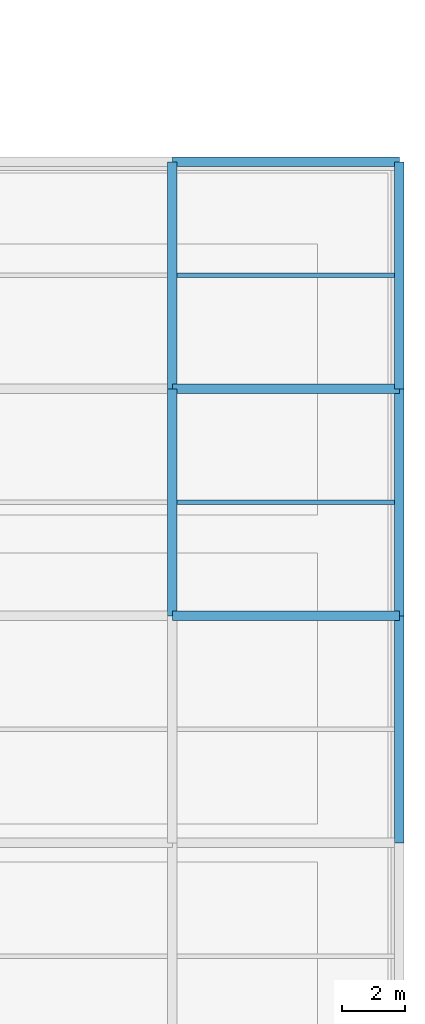
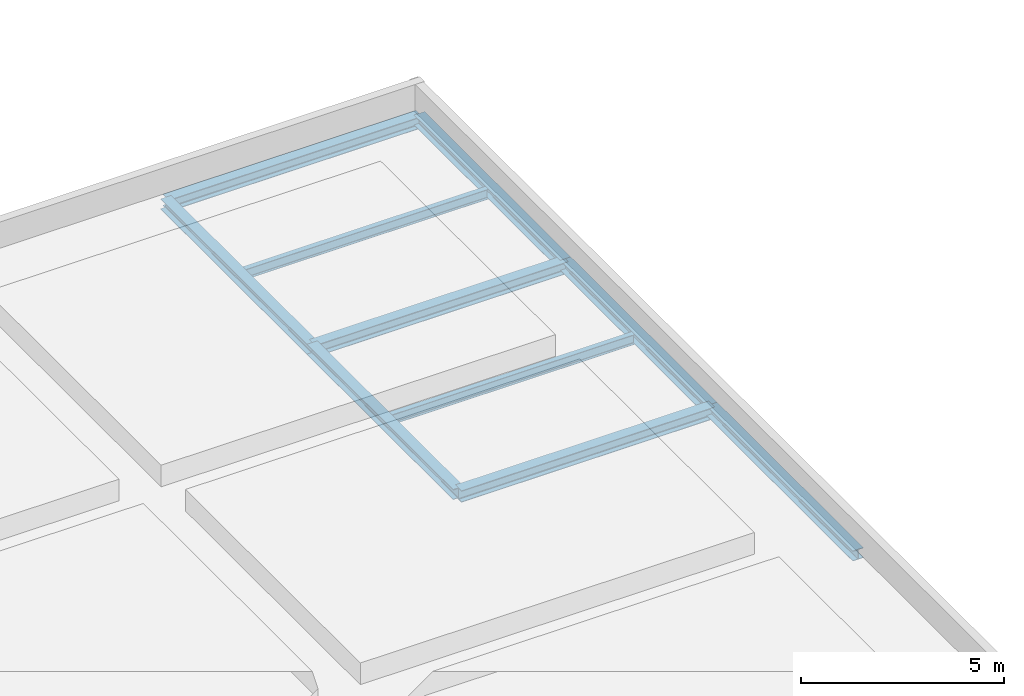
# One storey, part 59 of 103: 10 beams.
"""IFC4 building model written with IfcOpenShell, lengths in metres."""

import ifcopenshell
import ifcopenshell.guid

model = None  # the IFC model being written
_history = None  # IfcOwnerHistory: only IFC2X3 demands one
_inside = {}  # id of a spatial element -> (the spatial element, [elements in it])
_under = {}  # id of a project, library or spatial element -> (it, [spatial elements below it])
_declared = {}  # id of a project -> (the project, [libraries it declares])
_typed = {}  # id of a type object -> (the type object, [elements of that type])
_made_of = {}  # id of a material, layer set ... -> (it, [elements and type objects made of it])


def new_model(schema):
    """Start an empty IFC model of exactly this schema.

    Asked for "IFC4X3", IfcOpenShell would pick the latest addendum, in which some entities
    have other attributes; the version numbers below select the first issue.
    IFC2X3 requires an IfcOwnerHistory on every rooted entity: one is made here for all.
    """
    global model, _history
    if schema == "IFC4X3":
        model = ifcopenshell.file(schema_version=(4, 3, 0, 0))
    else:
        model = ifcopenshell.file(schema=schema)
    _inside.clear()
    _under.clear()
    _declared.clear()
    _typed.clear()
    _made_of.clear()
    _history = None
    if model.schema == "IFC2X3":
        org = make("IfcOrganization", Name="unknown")
        user = make(
            "IfcPersonAndOrganization",
            ThePerson=make("IfcPerson", FamilyName="unknown"),
            TheOrganization=org,
        )
        app = make(
            "IfcApplication",
            ApplicationDeveloper=org,
            Version="unknown",
            ApplicationFullName="unknown",
            ApplicationIdentifier="unknown",
        )
        _history = make(
            "IfcOwnerHistory",
            OwningUser=user,
            OwningApplication=app,
            ChangeAction="ADDED",
            CreationDate=0,
        )
    return model


def make(cls, **values):
    """One entity of the class cls with the attributes given. An attribute that is None is left unset."""
    return model.create_entity(
        cls, **{name: value for name, value in values.items() if value is not None}
    )


def rooted(cls, **values):
    """An entity with a GlobalId (a new one), such as an element, a storey or a relation."""
    return make(cls, GlobalId=ifcopenshell.guid.new(), OwnerHistory=_history, **values)


def si_unit(unit_type, name, prefix=None):
    """IfcSIUnit, for example si_unit("LENGTHUNIT", "METRE", prefix="MILLI")."""
    return make("IfcSIUnit", UnitType=unit_type, Prefix=prefix, Name=name)


def assignment(units):
    """IfcUnitAssignment: the units of a project."""
    return None if units is None else make("IfcUnitAssignment", Units=units)


def point(xyz):
    """IfcCartesianPoint."""
    return None if xyz is None else make("IfcCartesianPoint", Coordinates=xyz)


def direction(xyz):
    """IfcDirection."""
    return None if xyz is None else make("IfcDirection", DirectionRatios=xyz)


def frame(location, z_axis=None, x_axis=None):
    """IfcAxis2Placement3D, a coordinate frame: its origin and axes. An axis left out is left unset."""
    return make(
        "IfcAxis2Placement3D",
        Location=point(location),
        Axis=direction(z_axis),
        RefDirection=direction(x_axis),
    )


def frame_2d(location, x_axis=None):
    """IfcAxis2Placement2D, a coordinate frame in the plane: its origin and x axis."""
    return make(
        "IfcAxis2Placement2D", Location=point(location), RefDirection=direction(x_axis)
    )


def origin():
    """The frame at (0, 0, 0) with its axes left unset."""
    return frame((0.0, 0.0, 0.0))


def origin_2d():
    """The frame at (0, 0) in the plane with its x axis left unset."""
    return frame_2d((0.0, 0.0))


def place(relative_to, where):
    """IfcLocalPlacement: puts the frame where relative to a parent placement (None: the world)."""
    return make(
        "IfcLocalPlacement", PlacementRelTo=relative_to, RelativePlacement=where
    )


def context(
    kind, dimensions, precision=None, world=None, true_north=None, identifier=None
):
    """IfcGeometricRepresentationContext, for example the 3D "Model" context."""
    return make(
        "IfcGeometricRepresentationContext",
        ContextIdentifier=identifier,
        ContextType=kind,
        CoordinateSpaceDimension=dimensions,
        Precision=precision,
        WorldCoordinateSystem=world,
        TrueNorth=true_north,
    )


def subcontext(parent, identifier, kind, view, scale=None):
    """IfcGeometricRepresentationSubContext, for example "Body" below "Model"."""
    return make(
        "IfcGeometricRepresentationSubContext",
        ContextIdentifier=identifier,
        ContextType=kind,
        ParentContext=parent,
        TargetScale=scale,
        TargetView=view,
    )


def project(units=None, contexts=None):
    """IfcProject with its units and contexts."""
    return rooted(
        "IfcProject",
        Name="project",
        RepresentationContexts=contexts,
        UnitsInContext=assignment(units),
    )


def spatial(cls, under=None, at=None, **own):
    """A site, building, storey or space (cls), placed at a placement, below another one or the project."""
    s = rooted(cls, ObjectPlacement=at, **own)
    if under is not None:
        _under.setdefault(under.id(), (under, []))[1].append(s)
    return s


def profile(cls, at=None, kind="AREA", **sizes):
    """A parametric profile (cls). Its sizes go by their IFC names, for example OverallWidth=200.0."""
    return make(cls, ProfileType=kind, Position=at, **sizes)


def i_section(**sizes):
    """IfcIShapeProfileDef."""
    return profile("IfcIShapeProfileDef", **sizes)


def extrude(swept, where, along, depth):
    """IfcExtrudedAreaSolid: the profile swept, set in the frame where, extruded along a direction by depth."""
    return make(
        "IfcExtrudedAreaSolid",
        SweptArea=swept,
        Position=where,
        ExtrudedDirection=direction(along),
        Depth=depth,
    )


def shape(context_of_items, identifier, shape_type, items):
    """IfcShapeRepresentation: the items that make up one representation, for example the "Body"."""
    return make(
        "IfcShapeRepresentation",
        ContextOfItems=context_of_items,
        RepresentationIdentifier=identifier,
        RepresentationType=shape_type,
        Items=items,
    )


def material(Name=None, Category=None):
    """IfcMaterial."""
    return make("IfcMaterial", Name=Name, Category=Category)


def material_profile(
    of_material, cross_section, Name=None, Category=None, Priority=None
):
    """IfcMaterialProfile: a cross section and its material."""
    return make(
        "IfcMaterialProfile",
        Name=Name,
        Material=of_material,
        Profile=cross_section,
        Priority=Priority,
        Category=Category,
    )


def profile_set(profiles, Name=None, composite=None):
    """IfcMaterialProfileSet."""
    return make(
        "IfcMaterialProfileSet",
        Name=Name,
        MaterialProfiles=profiles,
        CompositeProfile=composite,
    )


def made_of(thing, what):
    """Note that an element or type object is made of a material, layer set ...; save() writes the relation."""
    if what is not None:
        _made_of.setdefault(what.id(), (what, []))[1].append(thing)
    return thing


def type_object(cls, material=None, **own):
    """A type object (cls), such as IfcWallType, which elements share."""
    return made_of(rooted(cls, **own), material)


def element(
    cls,
    number,
    at=None,
    inside=None,
    cuts=None,
    type_object=None,
    material=None,
    context=None,
    identifier="Body",
    shape_type=None,
    held_by="IfcProductDefinitionShape",
    body=None,
    shapes=None,
    **own,
):
    """One element of the class cls, such as IfcWall. Its Tag is "e" and its number.

    at: its placement. inside: the storey or other place that contains it. cuts: it is an
    opening in that element (IfcRelVoidsElement). A single representation is given by context,
    identifier, shape_type and body (its items); several are given by shapes. held_by: the class
    of the entity that holds the representations. save() writes the other relations.
    """
    e = rooted(cls, Tag="e%d" % number, ObjectPlacement=at, **own)
    if body is not None:
        shapes = [shape(context, identifier, shape_type, body)]
    if shapes is not None:
        e.Representation = make(held_by, Representations=shapes)
    if inside is not None:
        _inside.setdefault(inside.id(), (inside, []))[1].append(e)
    if cuts is not None:
        rooted(
            "IfcRelVoidsElement", RelatingBuildingElement=cuts, RelatedOpeningElement=e
        )
    if type_object is not None:
        _typed.setdefault(type_object.id(), (type_object, []))[1].append(e)
    return made_of(e, material)


def aggregate(whole, parts):
    """IfcRelAggregates: a whole, such as a stair, and the parts it consists of."""
    return rooted("IfcRelAggregates", RelatingObject=whole, RelatedObjects=parts)


def save(model, path):
    """Write the relations noted so far, then the file.

    IfcRelAggregates (storeys below a building ...), IfcRelContainedInSpatialStructure (elements
    in a storey), IfcRelDefinesByType, IfcRelAssociatesMaterial and IfcRelDeclares: one each for
    every whole, place, type object, material and project.
    """
    for whole, parts in _under.values():
        aggregate(whole, parts)
    for where, things in _inside.values():
        rooted(
            "IfcRelContainedInSpatialStructure",
            RelatedElements=things,
            RelatingStructure=where,
        )
    for kind, things in _typed.values():
        rooted("IfcRelDefinesByType", RelatedObjects=things, RelatingType=kind)
    for what, things in _made_of.values():
        rooted("IfcRelAssociatesMaterial", RelatedObjects=things, RelatingMaterial=what)
    for by, libraries in _declared.values():
        rooted("IfcRelDeclares", RelatingContext=by, RelatedDefinitions=libraries)
    model.write(path)


model = new_model("IFC4")

# Units and contexts
model_context = context("Model", 3, precision=1e-05, world=origin(), true_north=direction((0.0, 1.0)))
body_context = subcontext(model_context, "Body", "Model", "MODEL_VIEW")
ifc_project = project(units=[si_unit("LENGTHUNIT", "METRE"), si_unit("AREAUNIT", "SQUARE_METRE"), si_unit("VOLUMEUNIT", "CUBIC_METRE"), si_unit("PLANEANGLEUNIT", "RADIAN"), si_unit("MASSUNIT", "GRAM", prefix="KILO")], contexts=[model_context])

# Site, building, storey
site_placement = place(None, origin())
site = spatial("IfcSite", under=ifc_project, at=site_placement, CompositionType="ELEMENT")
building_placement = place(site_placement, origin())
building = spatial("IfcBuilding", under=site, at=building_placement, Name="Zlatovets Crest Museum", CompositionType="ELEMENT")
storey_placement = place(building_placement, frame((0.0, 0.0, 12.89990234375)))
storey = spatial("IfcBuildingStorey", under=building, at=storey_placement, Name="L03", CompositionType="ELEMENT", Elevation=12.89990234375)

# Beams
ifc_material = material(Name="Structural steel S355J2", Category="steel")
ifc_material_profile_1 = material_profile(ifc_material, i_section(OverallWidth=0.300048828125, OverallDepth=0.35009765625, WebThickness=0.010009765625, FlangeThickness=0.017578125, FilletRadius=0.027099609375, at=origin_2d()), Name="HEA 360")
ifc_profile_set_1 = profile_set([ifc_material_profile_1], Name="Structural steel S355J2")
beam_type_1 = type_object("IfcBeamType", Name="Beam_B-03", PredefinedType="BEAM", material=ifc_profile_set_1)
for number, where, z_axis, x_axis, name in (
    (1, (158.39990234375, 43.199951171875, -0.39501953125), (1.0, 0.0, 0.0), (0.0, 1.0, 0.0), "V5 L03 Primary Girder B-03"),
    (2, (158.39990234375, 50.39990234375, -0.39501953125), (1.0, 0.0, 0.0), (0.0, 1.0, 0.0), "V5 L03 Primary Girder B-03"),
    (3, (158.39990234375, 57.60009765625, -0.39501953125), (1.0, 0.0, 0.0), (0.0, 1.0, 0.0), "V5 L03 Primary Girder B-03"),
):
    element("IfcBeam", number, at=place(storey_placement, frame(where, z_axis=z_axis, x_axis=x_axis)), inside=storey, type_object=beam_type_1, Name=name, PredefinedType="BEAM", context=body_context, shape_type="SweptSolid", body=[
        extrude(i_section(OverallWidth=0.300048828125, OverallDepth=0.35009765625, WebThickness=0.010009765625, FlangeThickness=0.017578125, FilletRadius=0.027099609375, at=origin_2d()), origin(), (0.0, 0.0, 1.0), 7.2001953125),
    ])
ifc_material_profile_2 = material_profile(ifc_material, i_section(OverallWidth=0.300048828125, OverallDepth=0.31005859375, WebThickness=0.009033203125, FlangeThickness=0.015380859375, FilletRadius=0.027099609375, at=origin_2d()), Name="HEA 320")
ifc_profile_set_2 = profile_set([ifc_material_profile_2], Name="Structural steel S355J2")
beam_type_2 = type_object("IfcBeamType", Name="Beam_B-04", PredefinedType="BEAM", material=ifc_profile_set_2)
beam_1_placement = place(storey_placement, frame((158.39990234375, 43.199951171875, -0.375), z_axis=(0.0, 1.0, 0.0), x_axis=(-1.0, 0.0, 0.0)))
element("IfcBeam", 4, at=beam_1_placement, inside=storey, type_object=beam_type_2, Name="V5 L03 Grid Beam B-04", PredefinedType="BEAM", context=body_context, shape_type="SweptSolid", body=[
    extrude(i_section(OverallWidth=0.300048828125, OverallDepth=0.31005859375, WebThickness=0.009033203125, FlangeThickness=0.015380859375, FilletRadius=0.027099609375, at=origin_2d()), origin(), (0.0, 0.0, 1.0), 7.199951171875),
])
beam_2_placement = place(storey_placement, frame((158.39990234375, 50.39990234375, -0.375), z_axis=(0.0, 1.0, 0.0), x_axis=(-1.0, 0.0, 0.0)))
element("IfcBeam", 5, at=beam_2_placement, inside=storey, type_object=beam_type_2, Name="V5 L03 Grid Beam B-04", PredefinedType="BEAM", context=body_context, shape_type="SweptSolid", body=[
    extrude(i_section(OverallWidth=0.300048828125, OverallDepth=0.31005859375, WebThickness=0.009033203125, FlangeThickness=0.015380859375, FilletRadius=0.027099609375, at=origin_2d()), origin(), (0.0, 0.0, 1.0), 7.2001953125),
])
for number, where, z_axis, x_axis, name in (
    (6, (165.60009765625, 36.0, -0.375), (0.0, 1.0, 0.0), (-1.0, 0.0, 0.0), "V5 L03 Grid Beam B-04"),
    (7, (165.60009765625, 43.199951171875, -0.375), (0.0, 1.0, 0.0), (-1.0, 0.0, 0.0), "V5 L03 Grid Beam B-04"),
):
    element("IfcBeam", number, at=place(storey_placement, frame(where, z_axis=z_axis, x_axis=x_axis)), inside=storey, type_object=beam_type_2, Name=name, PredefinedType="BEAM", context=body_context, shape_type="SweptSolid", body=[
        extrude(i_section(OverallWidth=0.300048828125, OverallDepth=0.31005859375, WebThickness=0.009033203125, FlangeThickness=0.015380859375, FilletRadius=0.027099609375, at=origin_2d()), origin(), (0.0, 0.0, 1.0), 7.199951171875),
    ])
beam_3_placement = place(storey_placement, frame((165.60009765625, 50.39990234375, -0.375), z_axis=(0.0, 1.0, 0.0), x_axis=(-1.0, 0.0, 0.0)))
element("IfcBeam", 8, at=beam_3_placement, inside=storey, type_object=beam_type_2, Name="V5 L03 Grid Beam B-04", PredefinedType="BEAM", context=body_context, shape_type="SweptSolid", body=[
    extrude(i_section(OverallWidth=0.300048828125, OverallDepth=0.31005859375, WebThickness=0.009033203125, FlangeThickness=0.015380859375, FilletRadius=0.027099609375, at=origin_2d()), origin(), (0.0, 0.0, 1.0), 7.2001953125),
])
ifc_material_profile_3 = material_profile(ifc_material, i_section(OverallWidth=0.14990234375, OverallDepth=0.300048828125, WebThickness=0.007080078125, FlangeThickness=0.0107421875, FilletRadius=0.014892578125, at=origin_2d()), Name="IPE 300")
ifc_profile_set_3 = profile_set([ifc_material_profile_3], Name="Structural steel S355J2")
beam_type_3 = type_object("IfcBeamType", Name="Beam_J-02", PredefinedType="JOIST", material=ifc_profile_set_3)
for number, where, z_axis, x_axis, name in (
    (9, (158.550048828125, 46.800048828125, -0.369873046875), (1.0, 0.0, 0.0), (0.0, 1.0, 0.0), "V5 L03 Composite Joist J-02"),
    (10, (158.550048828125, 54.0, -0.369873046875), (1.0, 0.0, 0.0), (0.0, 1.0, 0.0), "V5 L03 Composite Joist J-02"),
):
    element("IfcBeam", number, at=place(storey_placement, frame(where, z_axis=z_axis, x_axis=x_axis)), inside=storey, type_object=beam_type_3, Name=name, PredefinedType="JOIST", context=body_context, shape_type="SweptSolid", body=[
        extrude(i_section(OverallWidth=0.14990234375, OverallDepth=0.300048828125, WebThickness=0.007080078125, FlangeThickness=0.0107421875, FilletRadius=0.014892578125, at=origin_2d()), origin(), (0.0, 0.0, 1.0), 6.89990234375),
    ])

save(model, "model.ifc")
